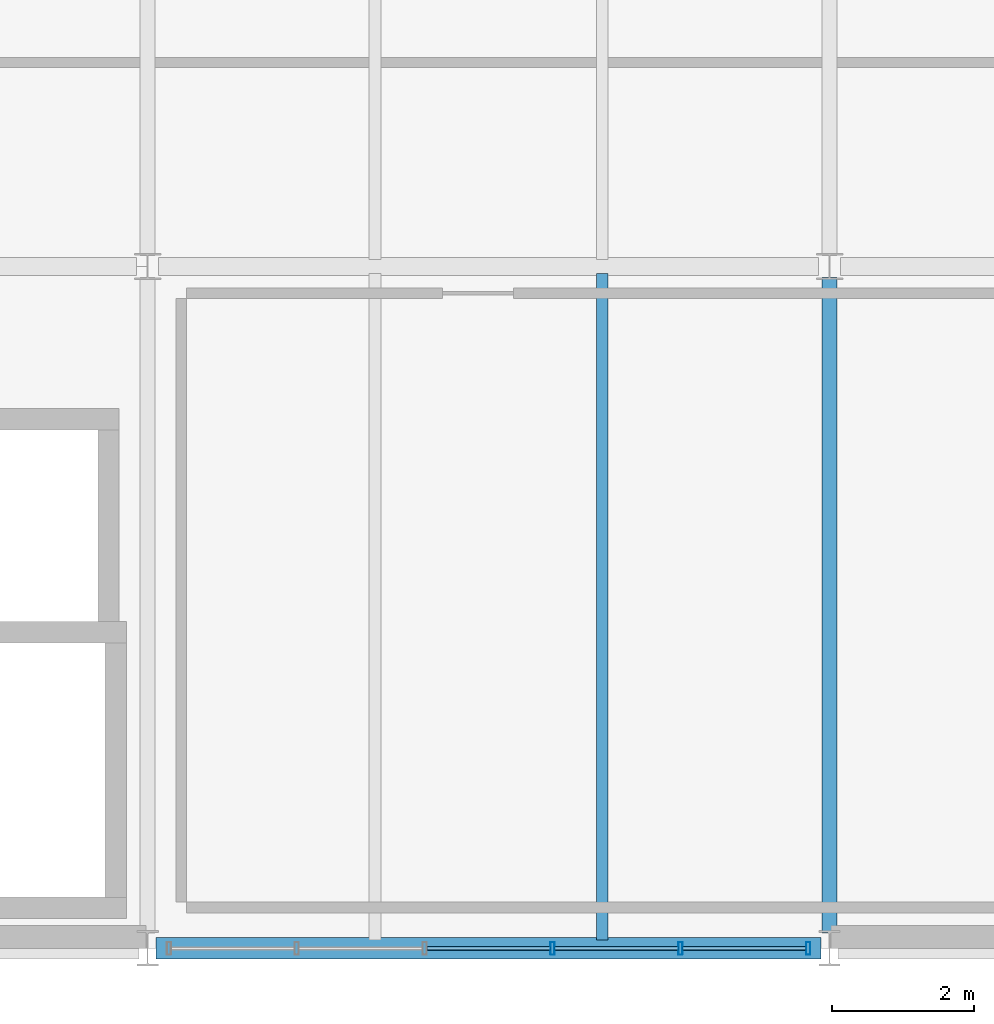
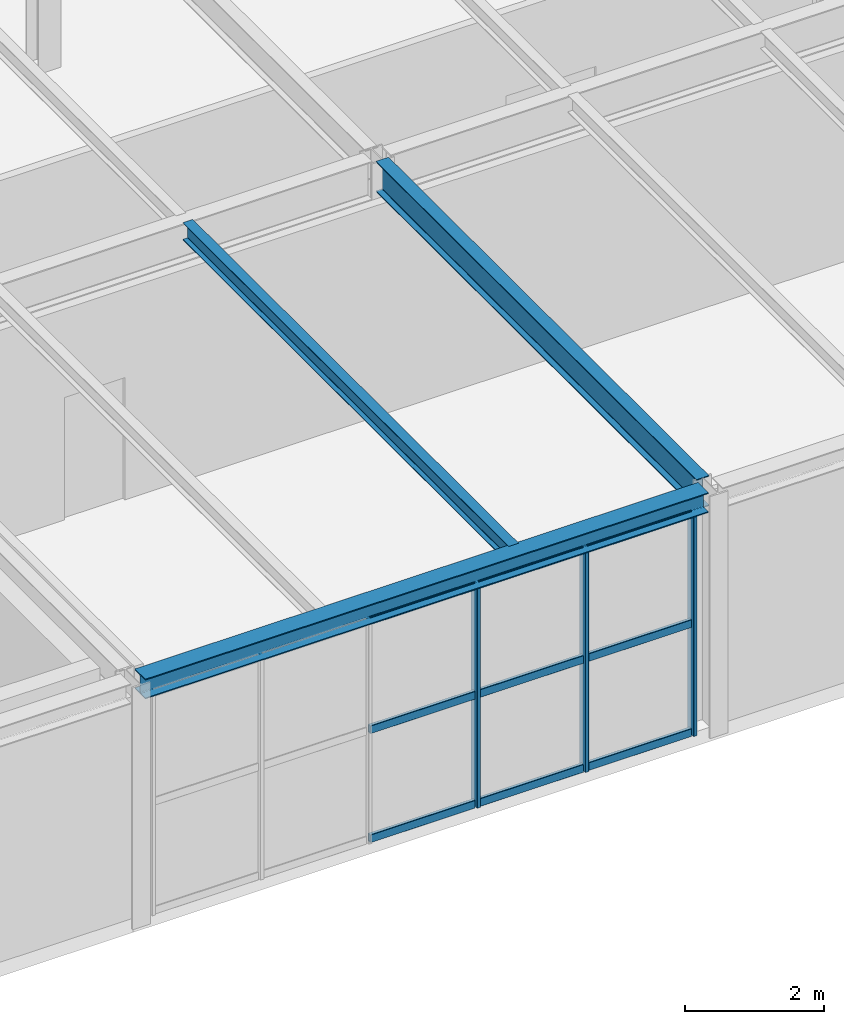
# One storey, part 120 of 170: 12 members, 3 beams, 1 element without a shape of its own.
"""IFC4 building model written with IfcOpenShell, lengths in metres."""

from ifc_helpers import new_model, si_unit, direction, frame, origin, origin_2d, place, context, subcontext, project, spatial, hollow_rectangle, i_section, extrude, material, material_profile, profile_set, type_object, element, aggregate, save


model = new_model("IFC4")

# Units and contexts
model_context = context("Model", 3, precision=1e-05, world=origin(), true_north=direction((0.0, 1.0)))
body_context = subcontext(model_context, "Body", "Model", "MODEL_VIEW")
ifc_project = project(units=[si_unit("LENGTHUNIT", "METRE"), si_unit("AREAUNIT", "SQUARE_METRE"), si_unit("VOLUMEUNIT", "CUBIC_METRE"), si_unit("PLANEANGLEUNIT", "RADIAN"), si_unit("MASSUNIT", "GRAM", prefix="KILO")], contexts=[model_context])

# Site, building, storey
site_placement = place(None, origin())
site = spatial("IfcSite", under=ifc_project, at=site_placement, CompositionType="ELEMENT")
building_placement = place(site_placement, origin())
building = spatial("IfcBuilding", under=site, at=building_placement, Name="Coralgate Yard Interchange", CompositionType="ELEMENT")
storey_placement = place(building_placement, frame((0.0, 0.0, 6.0)))
storey = spatial("IfcBuildingStorey", under=building, at=storey_placement, Name="L01", CompositionType="ELEMENT", Elevation=6.0)

# Beams
ifc_material_1 = material(Name="Structural steel S355J2", Category="steel")
ifc_material_profile_1 = material_profile(ifc_material_1, i_section(OverallWidth=0.209228515625, OverallDepth=0.533203125, WebThickness=0.010009765625, FlangeThickness=0.015625, FilletRadius=0.0126953125, at=origin_2d()), Name="UB 533x210x92")
ifc_profile_set_1 = profile_set([ifc_material_profile_1], Name="Structural steel S355J2")
beam_type_1 = type_object("IfcBeamType", Name="BM-SB-1", PredefinedType="BEAM", material=ifc_profile_set_1)
beam_1_placement = place(storey_placement, frame((172.800048828125, 0.219970703125, 3.9833984375), z_axis=(0.0, 1.0, 0.0), x_axis=(-1.0, 0.0, 0.0)))
element("IfcBeam", 1, at=beam_1_placement, inside=storey, type_object=beam_type_1, Name="L01 primary grid girder X18 Y0-1", PredefinedType="BEAM", context=body_context, shape_type="SweptSolid", body=[
    extrude(i_section(OverallWidth=0.209228515625, OverallDepth=0.533203125, WebThickness=0.010009765625, FlangeThickness=0.015625, FilletRadius=0.0126953125, at=origin_2d()), origin(), (0.0, 0.0, 1.0), 9.225830078125),
])
ifc_material_profile_2 = material_profile(ifc_material_1, i_section(OverallWidth=0.1650390625, OverallDepth=0.303466796875, WebThickness=0.006103515625, FlangeThickness=0.01025390625, FilletRadius=0.0087890625, at=origin_2d()), Name="UB 305x165x40")
ifc_profile_set_2 = profile_set([ifc_material_profile_2], Name="Structural steel S355J2")
beam_type_2 = type_object("IfcBeamType", Name="BM-SJ-1", PredefinedType="JOIST", material=ifc_profile_set_2)
beam_2_placement = place(storey_placement, frame((169.60009765625, 0.1201171875, 4.098388671875), z_axis=(0.0, 1.0, 0.0), x_axis=(-1.0, 0.0, 0.0)))
element("IfcBeam", 2, at=beam_2_placement, inside=storey, type_object=beam_type_2, Name="L01 composite floor joist 17-0-2", PredefinedType="JOIST", context=body_context, shape_type="SweptSolid", body=[
    extrude(i_section(OverallWidth=0.1650390625, OverallDepth=0.303466796875, WebThickness=0.006103515625, FlangeThickness=0.01025390625, FilletRadius=0.0087890625, at=origin_2d()), origin(), (0.0, 0.0, 1.0), 9.383056640625),
])
ifc_material_profile_3 = material_profile(ifc_material_1, i_section(OverallWidth=0.300048828125, OverallDepth=0.35009765625, WebThickness=0.010009765625, FlangeThickness=0.017578125, FilletRadius=0.027099609375, at=origin_2d()), Name="HEA 360")
ifc_profile_set_3 = profile_set([ifc_material_profile_3], Name="Structural steel S355J2")
beam_type_3 = type_object("IfcBeamType", Name="BM-SP-1", PredefinedType="SPANDREL", material=ifc_profile_set_3)
beam_3_placement = place(storey_placement, frame((163.320068359375, 0.0, 4.074951171875), z_axis=(1.0, 0.0, 0.0), x_axis=(0.0, 1.0, 0.0)))
element("IfcBeam", 3, at=beam_3_placement, inside=storey, type_object=beam_type_3, Name="L01 primary grid beam Y0 X17-18", PredefinedType="SPANDREL", context=body_context, shape_type="SweptSolid", body=[
    extrude(i_section(OverallWidth=0.300048828125, OverallDepth=0.35009765625, WebThickness=0.010009765625, FlangeThickness=0.017578125, FilletRadius=0.027099609375, at=origin_2d()), origin(), (0.0, 0.0, 1.0), 9.35986328125),
])

# Curtain wall, members
ifc_material_2 = material(Name="Anodised coastal aluminium and solar-control low-E glass", Category="aluminium")
curtain_wall_type = type_object("IfcCurtainWallType", Name="CW-CW-L01-B", PredefinedType="NOTDEFINED", material=ifc_material_2)
curtain_wall_placement = place(storey_placement, origin())
curtain_wall = element("IfcCurtainWall", 4, at=curtain_wall_placement, inside=storey, type_object=curtain_wall_type, Name="L01 unitised curtain wall CW-L01-S-17-00", PredefinedType="NOTDEFINED")
ifc_material_3 = material(Name="Anodised coastal aluminium 6063-T6", Category="aluminium")
ifc_material_profile_4 = material_profile(ifc_material_3, hollow_rectangle(XDim=0.06005859375, YDim=0.179931640625, WallThickness=0.00390625, InnerFilletRadius=0.00390625, OuterFilletRadius=0.008056640625, at=origin_2d()), Name="ALU 60x180x4")
ifc_profile_set_4 = profile_set([ifc_material_profile_4], Name="Anodised coastal aluminium 6063-T6")
member_type_1 = type_object("IfcMemberType", Name="MB-MUL-180", PredefinedType="MULLION", material=ifc_profile_set_4)
member_1_placement = place(storey_placement, frame((172.5, 0.0, 0.0), z_axis=(0.0, 0.0, 1.0), x_axis=(1.0, 0.0, 0.0)))
member_1 = element("IfcMember", 5, at=member_1_placement, type_object=member_type_1, Name="CW-L01-S-17-00 vertical mullion 1", PredefinedType="MULLION", context=body_context, shape_type="SweptSolid", body=[
    extrude(hollow_rectangle(XDim=0.06005859375, YDim=0.179931640625, WallThickness=0.00390625, InnerFilletRadius=0.00390625, OuterFilletRadius=0.008056640625, at=origin_2d()), origin(), (0.0, 0.0, 1.0), 3.89990234375),
])
member_2_placement = place(storey_placement, frame((170.699951171875, 0.0, 0.0), z_axis=(0.0, 0.0, 1.0), x_axis=(1.0, 0.0, 0.0)))
member_2 = element("IfcMember", 6, at=member_2_placement, type_object=member_type_1, Name="CW-L01-S-17-00 vertical mullion 2", PredefinedType="MULLION", context=body_context, shape_type="SweptSolid", body=[
    extrude(hollow_rectangle(XDim=0.06005859375, YDim=0.179931640625, WallThickness=0.00390625, InnerFilletRadius=0.00390625, OuterFilletRadius=0.008056640625, at=origin_2d()), origin(), (0.0, 0.0, 1.0), 3.89990234375),
])
member_3_placement = place(storey_placement, frame((168.89990234375, 0.0, 0.0), z_axis=(0.0, 0.0, 1.0), x_axis=(1.0, 0.0, 0.0)))
member_3 = element("IfcMember", 7, at=member_3_placement, type_object=member_type_1, Name="CW-L01-S-17-00 vertical mullion 3", PredefinedType="MULLION", context=body_context, shape_type="SweptSolid", body=[
    extrude(hollow_rectangle(XDim=0.06005859375, YDim=0.179931640625, WallThickness=0.00390625, InnerFilletRadius=0.00390625, OuterFilletRadius=0.008056640625, at=origin_2d()), origin(), (0.0, 0.0, 1.0), 3.89990234375),
])
ifc_material_profile_5 = material_profile(ifc_material_3, hollow_rectangle(XDim=0.06005859375, YDim=0.139892578125, WallThickness=0.00341796875, InnerFilletRadius=0.00341796875, OuterFilletRadius=0.007080078125, at=origin_2d()), Name="ALU 60x140x3.5")
ifc_profile_set_5 = profile_set([ifc_material_profile_5], Name="Anodised coastal aluminium 6063-T6")
member_type_2 = type_object("IfcMemberType", Name="MB-TRN-140", PredefinedType="USERDEFINED", material=ifc_profile_set_5)
member_4_placement = place(storey_placement, frame((172.469970703125, 0.0, 0.034912109375), z_axis=(-1.0, 0.0, 0.0), x_axis=(0.0, -1.0, 0.0)))
member_4 = element("IfcMember", 8, at=member_4_placement, type_object=member_type_2, Name="CW-L01-S-17-00 horizontal transom 1-1", ObjectType="TRANSOM", PredefinedType="USERDEFINED", context=body_context, shape_type="SweptSolid", body=[
    extrude(hollow_rectangle(XDim=0.06005859375, YDim=0.139892578125, WallThickness=0.00341796875, InnerFilletRadius=0.00341796875, OuterFilletRadius=0.007080078125, at=origin_2d()), origin(), (0.0, 0.0, 1.0), 1.739990234375),
])
member_5_placement = place(storey_placement, frame((172.469970703125, 0.0, 1.949951171875), z_axis=(-1.0, 0.0, 0.0), x_axis=(0.0, -1.0, 0.0)))
member_5 = element("IfcMember", 9, at=member_5_placement, type_object=member_type_2, Name="CW-L01-S-17-00 horizontal transom 1-2", ObjectType="TRANSOM", PredefinedType="USERDEFINED", context=body_context, shape_type="SweptSolid", body=[
    extrude(hollow_rectangle(XDim=0.06005859375, YDim=0.139892578125, WallThickness=0.00341796875, InnerFilletRadius=0.00341796875, OuterFilletRadius=0.007080078125, at=origin_2d()), origin(), (0.0, 0.0, 1.0), 1.739990234375),
])
member_6_placement = place(storey_placement, frame((172.469970703125, 0.0, 3.864990234375), z_axis=(-1.0, 0.0, 0.0), x_axis=(0.0, -1.0, 0.0)))
member_6 = element("IfcMember", 10, at=member_6_placement, type_object=member_type_2, Name="CW-L01-S-17-00 horizontal transom 1-3", ObjectType="TRANSOM", PredefinedType="USERDEFINED", context=body_context, shape_type="SweptSolid", body=[
    extrude(hollow_rectangle(XDim=0.06005859375, YDim=0.139892578125, WallThickness=0.00341796875, InnerFilletRadius=0.00341796875, OuterFilletRadius=0.007080078125, at=origin_2d()), origin(), (0.0, 0.0, 1.0), 1.739990234375),
])
member_7_placement = place(storey_placement, frame((170.669921875, 0.0, 0.034912109375), z_axis=(-1.0, 0.0, 0.0), x_axis=(0.0, -1.0, 0.0)))
member_7 = element("IfcMember", 11, at=member_7_placement, type_object=member_type_2, Name="CW-L01-S-17-00 horizontal transom 2-1", ObjectType="TRANSOM", PredefinedType="USERDEFINED", context=body_context, shape_type="SweptSolid", body=[
    extrude(hollow_rectangle(XDim=0.06005859375, YDim=0.139892578125, WallThickness=0.00341796875, InnerFilletRadius=0.00341796875, OuterFilletRadius=0.007080078125, at=origin_2d()), origin(), (0.0, 0.0, 1.0), 1.739990234375),
])
member_8_placement = place(storey_placement, frame((170.669921875, 0.0, 1.949951171875), z_axis=(-1.0, 0.0, 0.0), x_axis=(0.0, -1.0, 0.0)))
member_8 = element("IfcMember", 12, at=member_8_placement, type_object=member_type_2, Name="CW-L01-S-17-00 horizontal transom 2-2", ObjectType="TRANSOM", PredefinedType="USERDEFINED", context=body_context, shape_type="SweptSolid", body=[
    extrude(hollow_rectangle(XDim=0.06005859375, YDim=0.139892578125, WallThickness=0.00341796875, InnerFilletRadius=0.00341796875, OuterFilletRadius=0.007080078125, at=origin_2d()), origin(), (0.0, 0.0, 1.0), 1.739990234375),
])
member_9_placement = place(storey_placement, frame((170.669921875, 0.0, 3.864990234375), z_axis=(-1.0, 0.0, 0.0), x_axis=(0.0, -1.0, 0.0)))
member_9 = element("IfcMember", 13, at=member_9_placement, type_object=member_type_2, Name="CW-L01-S-17-00 horizontal transom 2-3", ObjectType="TRANSOM", PredefinedType="USERDEFINED", context=body_context, shape_type="SweptSolid", body=[
    extrude(hollow_rectangle(XDim=0.06005859375, YDim=0.139892578125, WallThickness=0.00341796875, InnerFilletRadius=0.00341796875, OuterFilletRadius=0.007080078125, at=origin_2d()), origin(), (0.0, 0.0, 1.0), 1.739990234375),
])
member_10_placement = place(storey_placement, frame((168.8701171875, 0.0, 0.034912109375), z_axis=(-1.0, 0.0, 0.0), x_axis=(0.0, -1.0, 0.0)))
member_10 = element("IfcMember", 14, at=member_10_placement, type_object=member_type_2, Name="CW-L01-S-17-00 horizontal transom 3-1", ObjectType="TRANSOM", PredefinedType="USERDEFINED", context=body_context, shape_type="SweptSolid", body=[
    extrude(hollow_rectangle(XDim=0.06005859375, YDim=0.139892578125, WallThickness=0.00341796875, InnerFilletRadius=0.00341796875, OuterFilletRadius=0.007080078125, at=origin_2d()), origin(), (0.0, 0.0, 1.0), 1.740234375),
])
member_11_placement = place(storey_placement, frame((168.8701171875, 0.0, 1.949951171875), z_axis=(-1.0, 0.0, 0.0), x_axis=(0.0, -1.0, 0.0)))
member_11 = element("IfcMember", 15, at=member_11_placement, type_object=member_type_2, Name="CW-L01-S-17-00 horizontal transom 3-2", ObjectType="TRANSOM", PredefinedType="USERDEFINED", context=body_context, shape_type="SweptSolid", body=[
    extrude(hollow_rectangle(XDim=0.06005859375, YDim=0.139892578125, WallThickness=0.00341796875, InnerFilletRadius=0.00341796875, OuterFilletRadius=0.007080078125, at=origin_2d()), origin(), (0.0, 0.0, 1.0), 1.740234375),
])
member_12_placement = place(storey_placement, frame((168.8701171875, 0.0, 3.864990234375), z_axis=(-1.0, 0.0, 0.0), x_axis=(0.0, -1.0, 0.0)))
member_12 = element("IfcMember", 16, at=member_12_placement, type_object=member_type_2, Name="CW-L01-S-17-00 horizontal transom 3-3", ObjectType="TRANSOM", PredefinedType="USERDEFINED", context=body_context, shape_type="SweptSolid", body=[
    extrude(hollow_rectangle(XDim=0.06005859375, YDim=0.139892578125, WallThickness=0.00341796875, InnerFilletRadius=0.00341796875, OuterFilletRadius=0.007080078125, at=origin_2d()), origin(), (0.0, 0.0, 1.0), 1.740234375),
])
aggregate(curtain_wall, [member_1, member_2, member_3, member_4, member_5, member_6, member_7, member_8, member_9, member_10, member_11, member_12])

save(model, "model.ifc")
